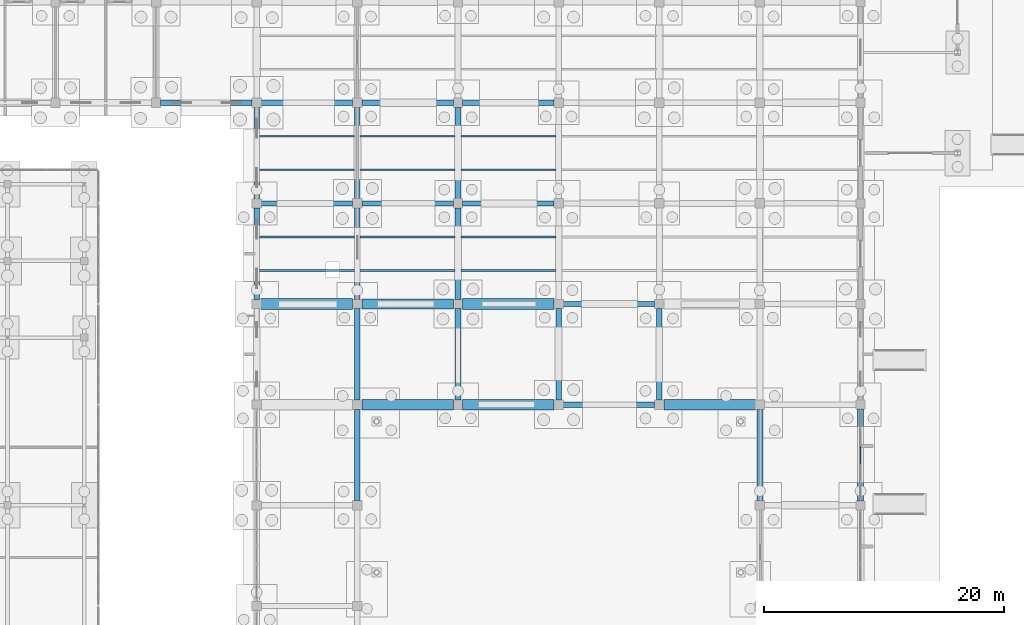
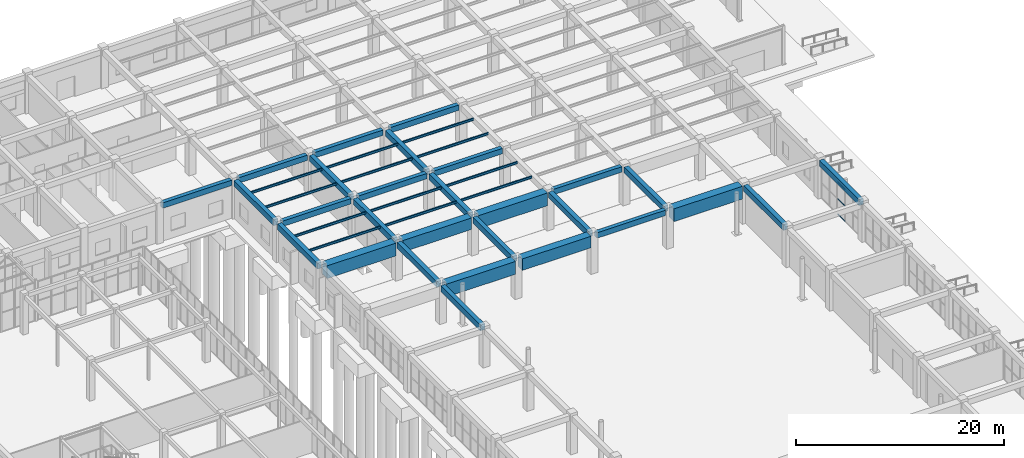
# One storey, part 132 of 192: 40 beams, 3 members, 1 element without a shape of its own.
"""IFC4 building model written with IfcOpenShell, lengths in metres."""

from ifc_helpers import new_model, si_unit, direction, frame, origin, origin_2d, place, context, subcontext, project, spatial, rectangle, hollow_rectangle, i_section, extrude, material, layer, layer_set, material_profile, profile_set, type_object, element, aggregate, save


model = new_model("IFC4")

# Units and contexts
model_context = context("Model", 3, precision=1e-05, world=origin(), true_north=direction((0.0, 1.0)))
body_context = subcontext(model_context, "Body", "Model", "MODEL_VIEW")
ifc_project = project(units=[si_unit("LENGTHUNIT", "METRE"), si_unit("AREAUNIT", "SQUARE_METRE"), si_unit("VOLUMEUNIT", "CUBIC_METRE"), si_unit("PLANEANGLEUNIT", "RADIAN"), si_unit("MASSUNIT", "GRAM", prefix="KILO")], contexts=[model_context])

# Site, building, storey
site_placement = place(None, origin())
site = spatial("IfcSite", under=ifc_project, at=site_placement, CompositionType="ELEMENT")
building_placement = place(site_placement, origin())
building = spatial("IfcBuilding", under=site, at=building_placement, Name="Trelvath General Hospital", CompositionType="ELEMENT")
storey_placement = place(building_placement, origin())
storey = spatial("IfcBuildingStorey", under=building, at=storey_placement, Name="L00", CompositionType="ELEMENT", Elevation=0.0)

# Beams
ifc_material_1 = material(Name="Concrete C35/45", Category="concrete")
ifc_material_profile_1 = material_profile(ifc_material_1, rectangle(XDim=0.43994140625, YDim=0.639892578125, at=origin_2d()), Name="RCB440x640")
ifc_profile_set_1 = profile_set([ifc_material_profile_1], Name="Concrete C35/45")
beam_type_1 = type_object("IfcBeamType", Name="Beam RC440x640", PredefinedType="BEAM", material=ifc_profile_set_1)
beam_1_placement = place(storey_placement, frame((126.375, 92.39990234375, 4.199951171875), z_axis=(1.0, 0.0, 0.0), x_axis=(0.0, 1.0, 0.0)))
element("IfcBeam", 1, at=beam_1_placement, inside=storey, type_object=beam_type_1, Name="Grid Beam BX-015L", PredefinedType="BEAM", context=body_context, shape_type="SweptSolid", body=[
    extrude(rectangle(XDim=0.43994140625, YDim=0.639892578125, at=origin_2d()), origin(), (0.0, 0.0, 1.0), 7.64990234375),
])
for number, where, z_axis, x_axis, name in (
    (2, (134.77490234375, 84.0, 4.199951171875), (1.0, 0.0, 0.0), (0.0, 1.0, 0.0), "Grid Beam BX-016K"),
    (3, (134.77490234375, 92.39990234375, 4.199951171875), (1.0, 0.0, 0.0), (0.0, 1.0, 0.0), "Grid Beam BX-016L"),
):
    element("IfcBeam", number, at=place(storey_placement, frame(where, z_axis=z_axis, x_axis=x_axis)), inside=storey, type_object=beam_type_1, Name=name, PredefinedType="BEAM", context=body_context, shape_type="SweptSolid", body=[
        extrude(rectangle(XDim=0.43994140625, YDim=0.639892578125, at=origin_2d()), origin(), (0.0, 0.0, 1.0), 7.64013671875),
    ])
for number, where, z_axis, x_axis, name in (
    (4, (143.18505859375, 84.0, 4.199951171875), (1.0, 0.0, 0.0), (0.0, 1.0, 0.0), "Grid Beam BX-017K"),
    (5, (143.18505859375, 92.39990234375, 4.199951171875), (1.0, 0.0, 0.0), (0.0, 1.0, 0.0), "Grid Beam BX-017L"),
):
    element("IfcBeam", number, at=place(storey_placement, frame(where, z_axis=z_axis, x_axis=x_axis)), inside=storey, type_object=beam_type_1, Name=name, PredefinedType="BEAM", context=body_context, shape_type="SweptSolid", body=[
        extrude(rectangle(XDim=0.43994140625, YDim=0.639892578125, at=origin_2d()), origin(), (0.0, 0.0, 1.0), 7.6298828125),
    ])
for number, where, z_axis, x_axis, name in (
    (6, (151.5849609375, 84.0, 4.199951171875), (1.0, 0.0, 0.0), (0.0, 1.0, 0.0), "Grid Beam BX-018K"),
    (7, (151.5849609375, 92.39990234375, 4.199951171875), (1.0, 0.0, 0.0), (0.0, 1.0, 0.0), "Grid Beam BX-018L"),
):
    element("IfcBeam", number, at=place(storey_placement, frame(where, z_axis=z_axis, x_axis=x_axis)), inside=storey, type_object=beam_type_1, Name=name, PredefinedType="BEAM", context=body_context, shape_type="SweptSolid", body=[
        extrude(rectangle(XDim=0.43994140625, YDim=0.639892578125, at=origin_2d()), origin(), (0.0, 0.0, 1.0), 7.630126953125),
    ])
for number, where, z_axis, x_axis, name in (
    (8, (159.985107421875, 67.199951171875, 4.199951171875), (1.0, 0.0, 0.0), (0.0, 1.0, 0.0), "Grid Beam BX-019I"),
    (9, (159.985107421875, 75.60009765625, 4.199951171875), (1.0, 0.0, 0.0), (0.0, 1.0, 0.0), "Grid Beam BX-019J"),
):
    element("IfcBeam", number, at=place(storey_placement, frame(where, z_axis=z_axis, x_axis=x_axis)), inside=storey, type_object=beam_type_1, Name=name, PredefinedType="BEAM", context=body_context, shape_type="SweptSolid", body=[
        extrude(rectangle(XDim=0.43994140625, YDim=0.639892578125, at=origin_2d()), origin(), (0.0, 0.0, 1.0), 7.6298828125),
    ])
ifc_material_2 = material(Name="Concrete C35/45", Category="concrete")
ifc_material_profile_2 = material_profile(ifc_material_2, rectangle(XDim=0.47998046875, YDim=0.679931640625, at=origin_2d()), Name="RCB480x680")
ifc_profile_set_2 = profile_set([ifc_material_profile_2], Name="Concrete C35/45")
beam_type_2 = type_object("IfcBeamType", Name="Beam RC480x680", PredefinedType="BEAM", material=ifc_profile_set_2)
for number, where, z_axis, x_axis, name in (
    (10, (134.39990234375, 75.97509765625, 4.179931640625), (0.0, 1.0, 0.0), (-1.0, 0.0, 0.0), "Grid Beam BY-016J"),
    (11, (134.39990234375, 84.375, 4.179931640625), (0.0, 1.0, 0.0), (-1.0, 0.0, 0.0), "Grid Beam BY-016K"),
):
    element("IfcBeam", number, at=place(storey_placement, frame(where, z_axis=z_axis, x_axis=x_axis)), inside=storey, type_object=beam_type_2, Name=name, PredefinedType="BEAM", context=body_context, shape_type="SweptSolid", body=[
        extrude(rectangle(XDim=0.47998046875, YDim=0.679931640625, at=origin_2d()), origin(), (0.0, 0.0, 1.0), 7.64990234375),
    ])
beam_2_placement = place(storey_placement, frame((142.800048828125, 59.18505859375, 4.179931640625), z_axis=(0.0, 1.0, 0.0), x_axis=(-1.0, 0.0, 0.0)))
element("IfcBeam", 12, at=beam_2_placement, inside=storey, type_object=beam_type_2, Name="Grid Beam BY-017H", PredefinedType="BEAM", context=body_context, shape_type="SweptSolid", body=[
    extrude(rectangle(XDim=0.47998046875, YDim=0.679931640625, at=origin_2d()), origin(), (0.0, 0.0, 1.0), 7.6298828125),
])
beam_3_placement = place(storey_placement, frame((142.800048828125, 67.5849609375, 4.179931640625), z_axis=(0.0, 1.0, 0.0), x_axis=(-1.0, 0.0, 0.0)))
element("IfcBeam", 13, at=beam_3_placement, inside=storey, type_object=beam_type_2, Name="Grid Beam BY-017I", PredefinedType="BEAM", context=body_context, shape_type="SweptSolid", body=[
    extrude(rectangle(XDim=0.47998046875, YDim=0.679931640625, at=origin_2d()), origin(), (0.0, 0.0, 1.0), 7.630126953125),
])
for number, where, z_axis, x_axis, name in (
    (14, (142.800048828125, 75.985107421875, 4.179931640625), (0.0, 1.0, 0.0), (-1.0, 0.0, 0.0), "Grid Beam BY-017J"),
    (15, (142.800048828125, 84.385009765625, 4.179931640625), (0.0, 1.0, 0.0), (-1.0, 0.0, 0.0), "Grid Beam BY-017K"),
):
    element("IfcBeam", number, at=place(storey_placement, frame(where, z_axis=z_axis, x_axis=x_axis)), inside=storey, type_object=beam_type_2, Name=name, PredefinedType="BEAM", context=body_context, shape_type="SweptSolid", body=[
        extrude(rectangle(XDim=0.47998046875, YDim=0.679931640625, at=origin_2d()), origin(), (0.0, 0.0, 1.0), 7.6298828125),
    ])
beam_4_placement = place(storey_placement, frame((151.199951171875, 67.5849609375, 4.179931640625), z_axis=(0.0, 1.0, 0.0), x_axis=(-1.0, 0.0, 0.0)))
element("IfcBeam", 16, at=beam_4_placement, inside=storey, type_object=beam_type_2, Name="Grid Beam BY-018I", PredefinedType="BEAM", context=body_context, shape_type="SweptSolid", body=[
    extrude(rectangle(XDim=0.47998046875, YDim=0.679931640625, at=origin_2d()), origin(), (0.0, 0.0, 1.0), 7.630126953125),
])
for number, where, z_axis, x_axis, name in (
    (17, (151.199951171875, 75.985107421875, 4.179931640625), (0.0, 1.0, 0.0), (-1.0, 0.0, 0.0), "Grid Beam BY-018J"),
    (18, (151.199951171875, 84.385009765625, 4.179931640625), (0.0, 1.0, 0.0), (-1.0, 0.0, 0.0), "Grid Beam BY-018K"),
):
    element("IfcBeam", number, at=place(storey_placement, frame(where, z_axis=z_axis, x_axis=x_axis)), inside=storey, type_object=beam_type_2, Name=name, PredefinedType="BEAM", context=body_context, shape_type="SweptSolid", body=[
        extrude(rectangle(XDim=0.47998046875, YDim=0.679931640625, at=origin_2d()), origin(), (0.0, 0.0, 1.0), 7.6298828125),
    ])
for number, where, z_axis, x_axis, name in (
    (19, (159.60009765625, 67.5849609375, 4.179931640625), (0.0, 1.0, 0.0), (-1.0, 0.0, 0.0), "Grid Beam BY-019I"),
    (20, (168.0, 67.5849609375, 4.179931640625), (0.0, 1.0, 0.0), (-1.0, 0.0, 0.0), "Grid Beam BY-020I"),
):
    element("IfcBeam", number, at=place(storey_placement, frame(where, z_axis=z_axis, x_axis=x_axis)), inside=storey, type_object=beam_type_2, Name=name, PredefinedType="BEAM", context=body_context, shape_type="SweptSolid", body=[
        extrude(rectangle(XDim=0.47998046875, YDim=0.679931640625, at=origin_2d()), origin(), (0.0, 0.0, 1.0), 7.630126953125),
    ])
beam_5_placement = place(storey_placement, frame((176.39990234375, 59.18505859375, 4.179931640625), z_axis=(0.0, 1.0, 0.0), x_axis=(-1.0, 0.0, 0.0)))
element("IfcBeam", 21, at=beam_5_placement, inside=storey, type_object=beam_type_2, Name="Grid Beam BY-021H", PredefinedType="BEAM", context=body_context, shape_type="SweptSolid", body=[
    extrude(rectangle(XDim=0.47998046875, YDim=0.679931640625, at=origin_2d()), origin(), (0.0, 0.0, 1.0), 7.6298828125),
])
beam_6_placement = place(storey_placement, frame((184.800048828125, 59.175048828125, 4.179931640625), z_axis=(0.0, 1.0, 0.0), x_axis=(-1.0, 0.0, 0.0)))
element("IfcBeam", 22, at=beam_6_placement, inside=storey, type_object=beam_type_2, Name="Grid Beam BY-022H", PredefinedType="BEAM", context=body_context, shape_type="SweptSolid", body=[
    extrude(rectangle(XDim=0.47998046875, YDim=0.679931640625, at=origin_2d()), origin(), (0.0, 0.0, 1.0), 7.64990234375),
])

# Curtain wall, members
ifc_material_3 = material(Name="Anodised aluminium and low-E glass", Category="aluminium")
ifc_layer = layer(ifc_material_3, 0.179931640625)
ifc_layer_set = layer_set([ifc_layer], Name="Anodised aluminium and low-E glass")
curtain_wall_type = type_object("IfcCurtainWallType", Name="CW Facade 753 382 18", PredefinedType="USERDEFINED", material=ifc_layer_set)
curtain_wall_placement = place(storey_placement, origin())
curtain_wall = element("IfcCurtainWall", 23, at=curtain_wall_placement, inside=storey, type_object=curtain_wall_type, Name="Facade Curtain Wall CW-013", ObjectType="Unitised Glazed Curtain Wall", PredefinedType="USERDEFINED")
ifc_material_4 = material(Name="Anodised aluminium", Category="aluminium")
ifc_material_profile_3 = material_profile(ifc_material_4, hollow_rectangle(XDim=0.06494140625, YDim=0.14501953125, WallThickness=0.00390625, at=origin_2d()), Name="RHS65x145x4")
ifc_profile_set_3 = profile_set([ifc_material_profile_3], Name="Anodised aluminium")
member_type = type_object("IfcMemberType", Name="CurtainTransom 65x145", PredefinedType="USERDEFINED", material=ifc_profile_set_3)
member_1_placement = place(storey_placement, frame((184.800048828125, 63.720458984375, 0.032470703125), z_axis=(0.0, -1.0, 0.0), x_axis=(1.0, 0.0, 0.0)))
member_1 = element("IfcMember", 24, at=member_1_placement, type_object=member_type, Name="CW-013 transom 3.1", ObjectType="TRANSOM", PredefinedType="USERDEFINED", context=body_context, shape_type="SweptSolid", body=[
    extrude(hollow_rectangle(XDim=0.06494140625, YDim=0.14501953125, WallThickness=0.00390625, at=origin_2d()), origin(), (0.0, 0.0, 1.0), 1.44091796875),
])
member_2_placement = place(storey_placement, frame((184.800048828125, 63.720458984375, 1.833984375), z_axis=(0.0, -1.0, 0.0), x_axis=(1.0, 0.0, 0.0)))
member_2 = element("IfcMember", 25, at=member_2_placement, type_object=member_type, Name="CW-013 transom 3.2", ObjectType="TRANSOM", PredefinedType="USERDEFINED", context=body_context, shape_type="SweptSolid", body=[
    extrude(hollow_rectangle(XDim=0.06494140625, YDim=0.14501953125, WallThickness=0.00390625, at=origin_2d()), origin(), (0.0, 0.0, 1.0), 1.44091796875),
])
member_3_placement = place(storey_placement, frame((184.800048828125, 63.720458984375, 3.78759765625), z_axis=(0.0, -1.0, 0.0), x_axis=(1.0, 0.0, 0.0)))
member_3 = element("IfcMember", 26, at=member_3_placement, type_object=member_type, Name="CW-013 transom 3.3", ObjectType="TRANSOM", PredefinedType="USERDEFINED", context=body_context, shape_type="SweptSolid", body=[
    extrude(hollow_rectangle(XDim=0.06494140625, YDim=0.14501953125, WallThickness=0.00390625, at=origin_2d()), origin(), (0.0, 0.0, 1.0), 1.44091796875),
])
aggregate(curtain_wall, [member_1, member_2, member_3])

# Beams
ifc_material_5 = material(Name="Steel S355", Category="steel")
ifc_material_profile_4 = material_profile(ifc_material_5, i_section(OverallWidth=0.135009765625, OverallDepth=0.27001953125, WebThickness=0.006591796875, FlangeThickness=0.01025390625, at=origin_2d()), Name="IPE270")
ifc_profile_set_4 = profile_set([ifc_material_profile_4], Name="Steel S355")
beam_type_3 = type_object("IfcBeamType", Name="InterstitialJoist IPE270", PredefinedType="JOIST", material=ifc_profile_set_4)
for number, where, z_axis, x_axis, name in (
    (27, (134.6298828125, 78.39990234375, 4.385009765625), (1.0, 0.0, 0.0), (0.0, 1.0, 0.0), "Interstitial Deck Joist IJ-1-103"),
    (28, (134.6298828125, 81.199951171875, 4.385009765625), (1.0, 0.0, 0.0), (0.0, 1.0, 0.0), "Interstitial Deck Joist IJ-1-104"),
    (29, (134.6298828125, 86.800048828125, 4.385009765625), (1.0, 0.0, 0.0), (0.0, 1.0, 0.0), "Interstitial Deck Joist IJ-1-105"),
    (30, (134.6298828125, 89.60009765625, 4.385009765625), (1.0, 0.0, 0.0), (0.0, 1.0, 0.0), "Interstitial Deck Joist IJ-1-106"),
):
    element("IfcBeam", number, at=place(storey_placement, frame(where, z_axis=z_axis, x_axis=x_axis)), inside=storey, type_object=beam_type_3, Name=name, PredefinedType="JOIST", context=body_context, shape_type="SweptSolid", body=[
        extrude(i_section(OverallWidth=0.135009765625, OverallDepth=0.27001953125, WebThickness=0.006591796875, FlangeThickness=0.01025390625, at=origin_2d()), origin(), (0.0, 0.0, 1.0), 7.940185546875),
    ])
for number, where, z_axis, x_axis, name in (
    (31, (143.030029296875, 78.39990234375, 4.385009765625), (1.0, 0.0, 0.0), (0.0, 1.0, 0.0), "Interstitial Deck Joist IJ-1-113"),
    (32, (143.030029296875, 81.199951171875, 4.385009765625), (1.0, 0.0, 0.0), (0.0, 1.0, 0.0), "Interstitial Deck Joist IJ-1-114"),
    (33, (143.030029296875, 86.800048828125, 4.385009765625), (1.0, 0.0, 0.0), (0.0, 1.0, 0.0), "Interstitial Deck Joist IJ-1-115"),
    (34, (143.030029296875, 89.60009765625, 4.385009765625), (1.0, 0.0, 0.0), (0.0, 1.0, 0.0), "Interstitial Deck Joist IJ-1-116"),
):
    element("IfcBeam", number, at=place(storey_placement, frame(where, z_axis=z_axis, x_axis=x_axis)), inside=storey, type_object=beam_type_3, Name=name, PredefinedType="JOIST", context=body_context, shape_type="SweptSolid", body=[
        extrude(i_section(OverallWidth=0.135009765625, OverallDepth=0.27001953125, WebThickness=0.006591796875, FlangeThickness=0.01025390625, at=origin_2d()), origin(), (0.0, 0.0, 1.0), 7.93994140625),
    ])
for number, where, z_axis, x_axis, name in (
    (35, (151.429931640625, 78.39990234375, 4.385009765625), (1.0, 0.0, 0.0), (0.0, 1.0, 0.0), "Interstitial Deck Joist IJ-1-123"),
    (36, (151.429931640625, 81.199951171875, 4.385009765625), (1.0, 0.0, 0.0), (0.0, 1.0, 0.0), "Interstitial Deck Joist IJ-1-124"),
    (37, (151.429931640625, 86.800048828125, 4.385009765625), (1.0, 0.0, 0.0), (0.0, 1.0, 0.0), "Interstitial Deck Joist IJ-1-125"),
    (38, (151.429931640625, 89.60009765625, 4.385009765625), (1.0, 0.0, 0.0), (0.0, 1.0, 0.0), "Interstitial Deck Joist IJ-1-126"),
):
    element("IfcBeam", number, at=place(storey_placement, frame(where, z_axis=z_axis, x_axis=x_axis)), inside=storey, type_object=beam_type_3, Name=name, PredefinedType="JOIST", context=body_context, shape_type="SweptSolid", body=[
        extrude(i_section(OverallWidth=0.135009765625, OverallDepth=0.27001953125, WebThickness=0.006591796875, FlangeThickness=0.01025390625, at=origin_2d()), origin(), (0.0, 0.0, 1.0), 7.940185546875),
    ])
ifc_material_6 = material(Name="Concrete C45/55", Category="concrete")
ifc_material_profile_5 = material_profile(ifc_material_6, rectangle(XDim=0.85009765625, YDim=1.35009765625, at=origin_2d()), Name="RCB850x1350")
ifc_profile_set_5 = profile_set([ifc_material_profile_5], Name="Concrete C45/55")
beam_type_4 = type_object("IfcBeamType", Name="TransferGirder RC850x1350", PredefinedType="T_BEAM", material=ifc_profile_set_5)
beam_7_placement = place(storey_placement, frame((143.18505859375, 75.60009765625, 3.844970703125), z_axis=(1.0, 0.0, 0.0), x_axis=(0.0, 1.0, 0.0)))
element("IfcBeam", 39, at=beam_7_placement, inside=storey, type_object=beam_type_4, Name="Transfer Girder TG-06 L00", PredefinedType="T_BEAM", context=body_context, shape_type="SweptSolid", body=[
    extrude(rectangle(XDim=0.85009765625, YDim=1.35009765625, at=origin_2d()), origin(), (0.0, 0.0, 1.0), 7.6298828125),
])
beam_8_placement = place(storey_placement, frame((151.5849609375, 67.199951171875, 3.844970703125), z_axis=(1.0, 0.0, 0.0), x_axis=(0.0, 1.0, 0.0)))
element("IfcBeam", 40, at=beam_8_placement, inside=storey, type_object=beam_type_4, Name="Transfer Girder TG-08 L00", PredefinedType="T_BEAM", context=body_context, shape_type="SweptSolid", body=[
    extrude(rectangle(XDim=0.85009765625, YDim=1.35009765625, at=origin_2d()), origin(), (0.0, 0.0, 1.0), 7.630126953125),
])
ifc_material_7 = material(Name="Concrete C45/55", Category="concrete")
ifc_material_profile_6 = material_profile(ifc_material_7, rectangle(XDim=0.89990234375, YDim=1.5, at=origin_2d()), Name="RCB900x1500")
ifc_profile_set_6 = profile_set([ifc_material_profile_6], Name="Concrete C45/55")
beam_type_5 = type_object("IfcBeamType", Name="TransferGirder RC900x1500", PredefinedType="T_BEAM", material=ifc_profile_set_6)
beam_9_placement = place(storey_placement, frame((134.77490234375, 75.60009765625, 3.77001953125), z_axis=(1.0, 0.0, 0.0), x_axis=(0.0, 1.0, 0.0)))
element("IfcBeam", 41, at=beam_9_placement, inside=storey, type_object=beam_type_5, Name="Transfer Girder TG-03 L00", PredefinedType="T_BEAM", context=body_context, shape_type="SweptSolid", body=[
    extrude(rectangle(XDim=0.89990234375, YDim=1.5, at=origin_2d()), origin(), (0.0, 0.0, 1.0), 7.64013671875),
])
beam_10_placement = place(storey_placement, frame((143.18505859375, 67.199951171875, 3.77001953125), z_axis=(1.0, 0.0, 0.0), x_axis=(0.0, 1.0, 0.0)))
element("IfcBeam", 42, at=beam_10_placement, inside=storey, type_object=beam_type_5, Name="Transfer Girder TG-05 L00", PredefinedType="T_BEAM", context=body_context, shape_type="SweptSolid", body=[
    extrude(rectangle(XDim=0.89990234375, YDim=1.5, at=origin_2d()), origin(), (0.0, 0.0, 1.0), 7.6298828125),
])
beam_11_placement = place(storey_placement, frame((151.5849609375, 75.60009765625, 3.77001953125), z_axis=(1.0, 0.0, 0.0), x_axis=(0.0, 1.0, 0.0)))
element("IfcBeam", 43, at=beam_11_placement, inside=storey, type_object=beam_type_5, Name="Transfer Girder TG-09 L00", PredefinedType="T_BEAM", context=body_context, shape_type="SweptSolid", body=[
    extrude(rectangle(XDim=0.89990234375, YDim=1.5, at=origin_2d()), origin(), (0.0, 0.0, 1.0), 7.630126953125),
])
beam_12_placement = place(storey_placement, frame((168.385009765625, 67.199951171875, 3.77001953125), z_axis=(1.0, 0.0, 0.0), x_axis=(0.0, 1.0, 0.0)))
element("IfcBeam", 44, at=beam_12_placement, inside=storey, type_object=beam_type_5, Name="Transfer Girder TG-11 L00", PredefinedType="T_BEAM", context=body_context, shape_type="SweptSolid", body=[
    extrude(rectangle(XDim=0.89990234375, YDim=1.5, at=origin_2d()), origin(), (0.0, 0.0, 1.0), 7.6298828125),
])

save(model, "model.ifc")
